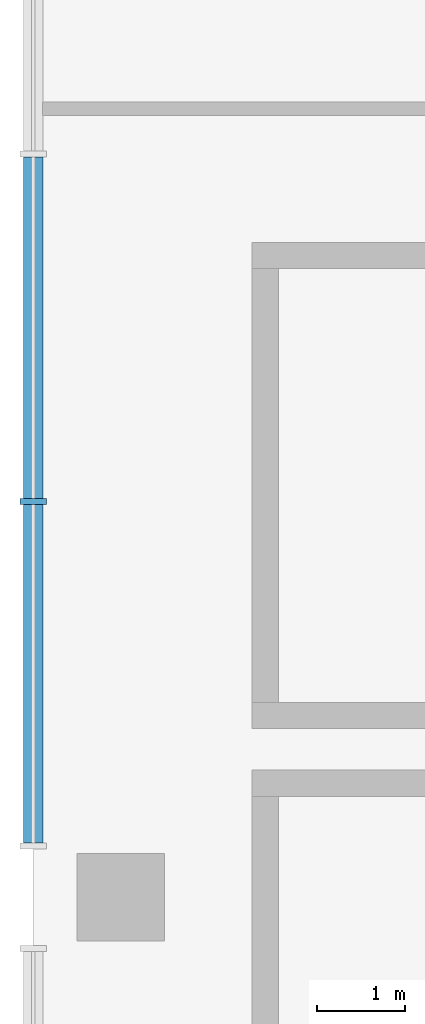
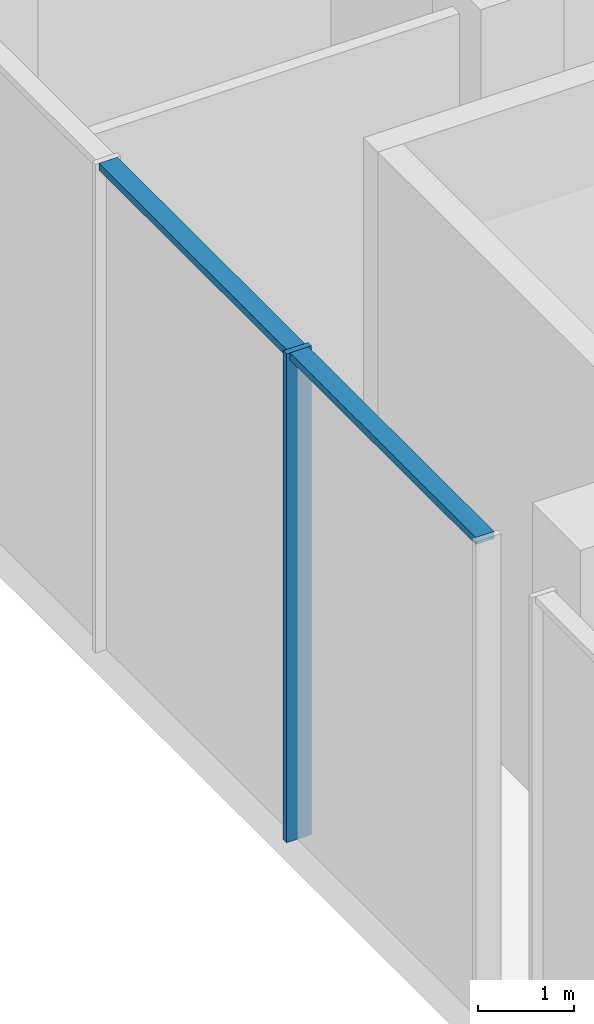
# One storey, part 3 of 30: 3 members, 1 element without a shape of its own.
"""IFC4 building model written with IfcOpenShell, lengths in metres."""

from ifc_helpers import new_model, si_unit, direction, frame, origin, origin_2d, place, context, subcontext, project, spatial, rectangle, extrude, material, material_profile, profile_set, type_object, element, aggregate, save


model = new_model("IFC4")

# Units and contexts
model_context = context("Model", 3, precision=1e-05, world=origin(), true_north=direction((0.0, 1.0)))
body_context = subcontext(model_context, "Body", "Model", "MODEL_VIEW")
ifc_project = project(units=[si_unit("LENGTHUNIT", "METRE"), si_unit("AREAUNIT", "SQUARE_METRE"), si_unit("VOLUMEUNIT", "CUBIC_METRE"), si_unit("PLANEANGLEUNIT", "RADIAN"), si_unit("MASSUNIT", "GRAM", prefix="KILO")], contexts=[model_context])

# Site, building, storey
site_placement = place(None, origin())
site = spatial("IfcSite", under=ifc_project, at=site_placement, CompositionType="ELEMENT")
building_placement = place(site_placement, origin())
building = spatial("IfcBuilding", under=site, at=building_placement, Name="Wharfspan Tower", CompositionType="ELEMENT")
storey_placement = place(building_placement, frame((0.0, 0.0, 15.0)))
storey = spatial("IfcBuildingStorey", under=building, at=storey_placement, Name="L02", CompositionType="ELEMENT", Elevation=15.0)

# Curtain wall, members
ifc_material = material(Name="Aluminium 6063-T6", Category="aluminium")
curtain_wall_type = type_object("IfcCurtainWallType", Name="CURTAIN WALL ARENA STICK WALL", PredefinedType="NOTDEFINED", material=ifc_material)
curtain_wall_placement = place(storey_placement, origin())
curtain_wall = element("IfcCurtainWall", 1, at=curtain_wall_placement, inside=storey, type_object=curtain_wall_type, Name="Concourse stick wall PF12.3", PredefinedType="NOTDEFINED")
ifc_material_profile_1 = material_profile(ifc_material, rectangle(XDim=0.300049, YDim=0.070068, at=origin_2d()))
ifc_profile_set_1 = profile_set([ifc_material_profile_1], Name="Aluminium 6063-T6")
member_type_1 = type_object("IfcMemberType", Name="MULLION ARENA STICK WALL 70x300", PredefinedType="MULLION", material=ifc_profile_set_1)
member_1_placement = place(storey_placement, frame((-12.0, 28.516602, 0.0), z_axis=(0.0, 0.0, 1.0), x_axis=(1.0, 0.0, 0.0)))
member_1 = element("IfcMember", 2, at=member_1_placement, type_object=member_type_1, Name="Concourse stick wall PF12.3 mullion 3", PredefinedType="MULLION", context=body_context, shape_type="SweptSolid", body=[
    extrude(rectangle(XDim=0.300049, YDim=0.070068, at=origin_2d()), origin(), (0.0, 0.0, 1.0), 6.199951),
])
ifc_material_profile_2 = material_profile(ifc_material, rectangle(XDim=0.219971, YDim=0.090088, at=origin_2d()))
ifc_profile_set_2 = profile_set([ifc_material_profile_2], Name="Aluminium 6063-T6")
member_type_2 = type_object("IfcMemberType", Name="TRANSOM ARENA STICK WALL 90x220", PredefinedType="USERDEFINED", material=ifc_profile_set_2)
member_2_placement = place(storey_placement, frame((-12.0, 32.448242, 6.155029), z_axis=(0.0, -1.0, 0.0), x_axis=(1.0, 0.0, 0.0)))
member_2 = element("IfcMember", 3, at=member_2_placement, type_object=member_type_2, Name="Concourse stick wall PF12.3 transom 2", ObjectType="TRANSOM", PredefinedType="USERDEFINED", context=body_context, shape_type="SweptSolid", body=[
    extrude(rectangle(XDim=0.219971, YDim=0.090088, at=origin_2d()), origin(), (0.0, 0.0, 1.0), 3.896484),
])
member_3_placement = place(storey_placement, frame((-12.0, 28.481689, 6.155029), z_axis=(0.0, -1.0, 0.0), x_axis=(1.0, 0.0, 0.0)))
member_3 = element("IfcMember", 4, at=member_3_placement, type_object=member_type_2, Name="Concourse stick wall PF12.3 transom 3", ObjectType="TRANSOM", PredefinedType="USERDEFINED", context=body_context, shape_type="SweptSolid", body=[
    extrude(rectangle(XDim=0.219971, YDim=0.090088, at=origin_2d()), origin(), (0.0, 0.0, 1.0), 3.861572),
])
aggregate(curtain_wall, [member_1, member_2, member_3])

save(model, "model.ifc")
